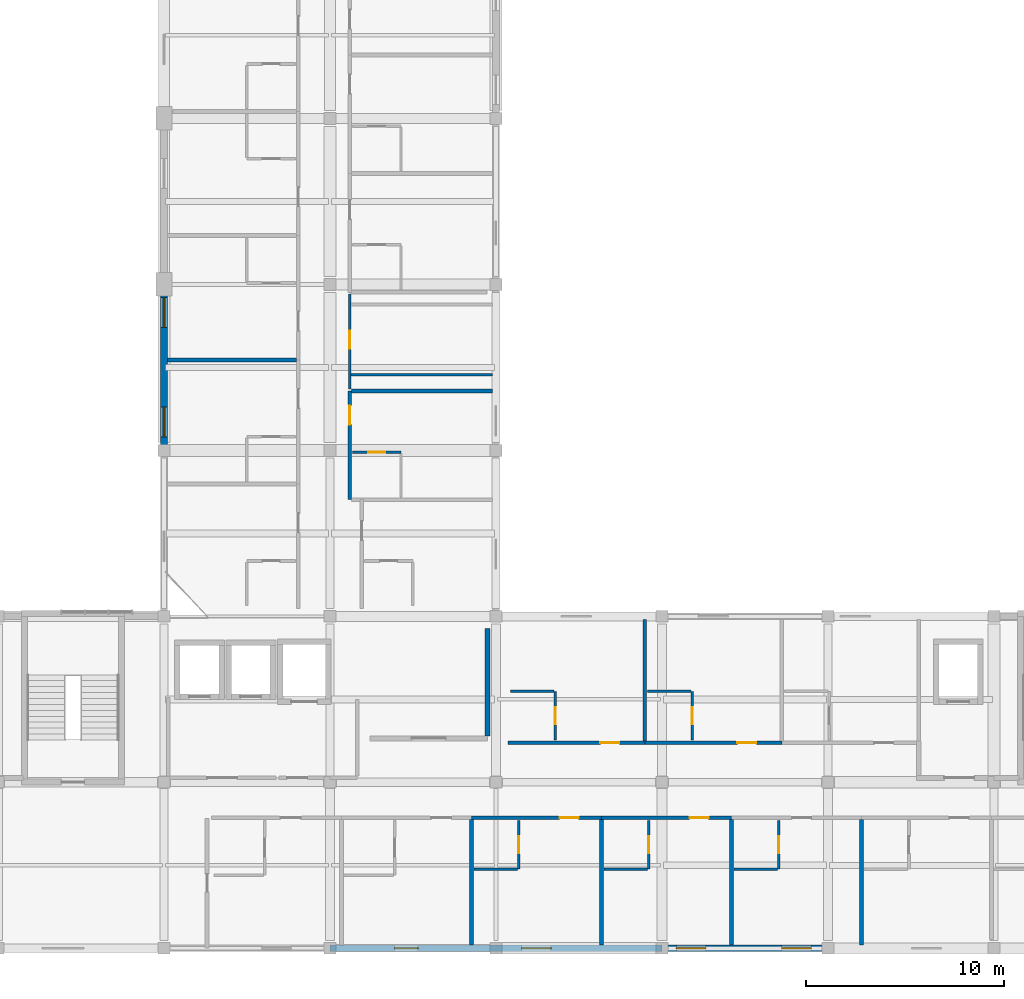
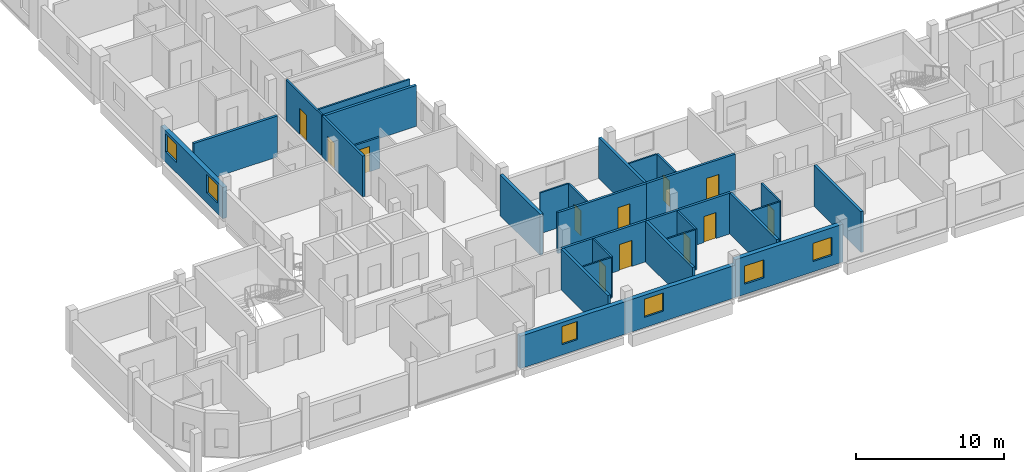
# One storey, part 13 of 25: 29 walls, 12 doors, 6 windows, 18 openings.
"""IFC4 building model written with IfcOpenShell, lengths in metres."""

from ifc_helpers import new_model, si_unit, derived_unit, direction, frame, frame_2d, origin, place, context, subcontext, project, spatial, rectangle, extrude, material, layer, layer_set, type_object, element, fill, save


model = new_model("IFC4")

# Units and contexts
model_context = context("Model", 3, precision=1e-05, world=origin(), true_north=direction((0.0, 1.0)))
body_context = subcontext(model_context, "Body", "Model", "MODEL_VIEW")
ifc_project = project(units=[si_unit("LENGTHUNIT", "METRE"), si_unit("AREAUNIT", "SQUARE_METRE"), si_unit("VOLUMEUNIT", "CUBIC_METRE"), si_unit("PLANEANGLEUNIT", "RADIAN"), si_unit("MASSUNIT", "GRAM", prefix="KILO"), derived_unit("THERMALTRANSMITTANCEUNIT", [(si_unit("POWERUNIT", "WATT"), 1), (si_unit("LENGTHUNIT", "METRE"), -2), (si_unit("THERMODYNAMICTEMPERATUREUNIT", "KELVIN"), -1)])], contexts=[model_context])

# Site, building, storey
site_placement = place(None, origin())
site = spatial("IfcSite", under=ifc_project, at=site_placement, CompositionType="ELEMENT")
building_placement = place(site_placement, origin())
building = spatial("IfcBuilding", under=site, at=building_placement, Name="Barrovel Congress Hotel", CompositionType="ELEMENT")
storey_placement = place(building_placement, frame((0.0, 0.0, 25.5)))
storey = spatial("IfcBuildingStorey", under=building, at=storey_placement, Name="L06", CompositionType="ELEMENT", Elevation=25.5)

# Wall, openings, windows
ifc_material_1 = material(Name="Fired Clay Brick Masonry", Category="masonry")
ifc_layer_1 = layer(ifc_material_1, 0.340087890625)
ifc_layer_set_1 = layer_set([ifc_layer_1], Name="Fired Clay Brick Masonry")
wall_type_1 = type_object("IfcWallType", Name="EW-BRK340", PredefinedType="STANDARD", material=ifc_layer_set_1)
wall_1_placement = place(storey_placement, frame((42.0, 4.199951171875, 0.0), z_axis=(0.0, 0.0, 1.0), x_axis=(1.0, 0.0, 0.0)))
wall_1 = element("IfcWall", 1, at=wall_1_placement, inside=storey, type_object=wall_type_1, Name="EW:L06:HS-S:P04", PredefinedType="STANDARD", context=body_context, shape_type="SweptSolid", body=[
    extrude(rectangle(XDim=16.800048828125, YDim=0.340087890625, at=frame_2d((8.39990234375, 0.0))), origin(), (0.0, 0.0, 1.0), 2.679931640625),
])
opening_1_placement = place(wall_1_placement, frame((3.27001953125, 0.0, 0.85009765625)))
opening_1 = element("IfcOpeningElement", 2, at=opening_1_placement, cuts=wall_1, Name="Opening WN-06", PredefinedType="OPENING", context=body_context, shape_type="SweptSolid", body=[
    extrude(rectangle(XDim=1.199951171875, YDim=1.5, at=frame_2d((0.60009765625, 0.75))), frame((0.0, 0.18017578125, 0.0), z_axis=(0.0, -1.0, 0.0), x_axis=(1.0, 0.0, 0.0)), (0.0, 0.0, 1.0), 0.360107421875),
])
opening_2_placement = place(wall_1_placement, frame((9.699951171875, 0.0, 0.85009765625)))
opening_2 = element("IfcOpeningElement", 3, at=opening_2_placement, cuts=wall_1, Name="Opening WN-07", PredefinedType="OPENING", context=body_context, shape_type="SweptSolid", body=[
    extrude(rectangle(XDim=1.5, YDim=1.5, at=frame_2d((0.75, 0.75))), frame((0.0, 0.18017578125, 0.0), z_axis=(0.0, -1.0, 0.0), x_axis=(1.0, 0.0, 0.0)), (0.0, 0.0, 1.0), 0.360107421875),
])
ifc_material_2 = material(Name="Double Low-E Insulated Glazing", Category="glass")
window_type_1 = type_object("IfcWindowType", Name="WIN-WN-06", PartitioningType="SINGLE_PANEL", PredefinedType="WINDOW", material=ifc_material_2)
window_1_placement = place(opening_1_placement, origin())
window_1 = element("IfcWindow", 4, at=window_1_placement, inside=storey, type_object=window_type_1, Name="WIN:L06:U03", OverallHeight=1.5, OverallWidth=1.199951171875, PartitioningType="SINGLE_PANEL", PredefinedType="WINDOW", context=body_context, shape_type="SweptSolid", body=[
    extrude(rectangle(XDim=1.199951171875, YDim=1.5, at=frame_2d((0.60009765625, 0.75))), frame((0.0, 0.030029296875, 0.0), z_axis=(0.0, -1.0, 0.0), x_axis=(1.0, 0.0, 0.0)), (0.0, 0.0, 1.0), 0.06005859375),
])
fill(opening_1, window_1)
window_type_2 = type_object("IfcWindowType", Name="WIN-WN-07", PartitioningType="SINGLE_PANEL", PredefinedType="WINDOW", material=ifc_material_2)
window_2_placement = place(opening_2_placement, origin())
window_2 = element("IfcWindow", 5, at=window_2_placement, inside=storey, type_object=window_type_2, Name="WIN:L06:U04", OverallHeight=1.5, OverallWidth=1.5, PartitioningType="SINGLE_PANEL", PredefinedType="WINDOW", context=body_context, shape_type="SweptSolid", body=[
    extrude(rectangle(XDim=1.5, YDim=1.5, at=frame_2d((0.75, 0.75))), frame((0.0, 0.030029296875, 0.0), z_axis=(0.0, -1.0, 0.0), x_axis=(1.0, 0.0, 0.0)), (0.0, 0.0, 1.0), 0.06005859375),
])
fill(opening_2, window_2)

wall_2_placement = place(storey_placement, frame((58.800048828125, 4.199951171875, 0.0), z_axis=(0.0, 0.0, 1.0), x_axis=(1.0, 0.0, 0.0)))
wall_2 = element("IfcWall", 6, at=wall_2_placement, inside=storey, type_object=wall_type_1, Name="EW:L06:HS-S:P05", PredefinedType="STANDARD", context=body_context, shape_type="SweptSolid", body=[
    extrude(rectangle(XDim=8.39990234375, YDim=0.340087890625, at=frame_2d((4.199951171875, 0.0))), origin(), (0.0, 0.0, 1.0), 3.1259765625),
])
opening_3_placement = place(wall_2_placement, frame((0.72998046875, 0.0, 0.85009765625)))
opening_3 = element("IfcOpeningElement", 7, at=opening_3_placement, cuts=wall_2, Name="Opening WN-07", PredefinedType="OPENING", context=body_context, shape_type="SweptSolid", body=[
    extrude(rectangle(XDim=1.5, YDim=1.5, at=frame_2d((0.75, 0.75))), frame((0.0, 0.18017578125, 0.0), z_axis=(0.0, -1.0, 0.0), x_axis=(1.0, 0.0, 0.0)), (0.0, 0.0, 1.0), 0.360107421875),
])
opening_4_placement = place(wall_2_placement, frame((6.06005859375, 0.0, 0.85009765625)))
opening_4 = element("IfcOpeningElement", 8, at=opening_4_placement, cuts=wall_2, Name="Opening WN-07", PredefinedType="OPENING", context=body_context, shape_type="SweptSolid", body=[
    extrude(rectangle(XDim=1.5, YDim=1.5, at=frame_2d((0.75, 0.75))), frame((0.0, 0.18017578125, 0.0), z_axis=(0.0, -1.0, 0.0), x_axis=(1.0, 0.0, 0.0)), (0.0, 0.0, 1.0), 0.360107421875),
])
window_3_placement = place(opening_3_placement, origin())
window_3 = element("IfcWindow", 9, at=window_3_placement, inside=storey, type_object=window_type_2, Name="WIN:L06:U05", OverallHeight=1.5, OverallWidth=1.5, PartitioningType="SINGLE_PANEL", PredefinedType="WINDOW", context=body_context, shape_type="SweptSolid", body=[
    extrude(rectangle(XDim=1.5, YDim=1.5, at=frame_2d((0.75, 0.75))), frame((0.0, 0.030029296875, 0.0), z_axis=(0.0, -1.0, 0.0), x_axis=(1.0, 0.0, 0.0)), (0.0, 0.0, 1.0), 0.06005859375),
])
fill(opening_3, window_3)
window_4_placement = place(opening_4_placement, origin())
window_4 = element("IfcWindow", 10, at=window_4_placement, inside=storey, type_object=window_type_2, Name="WIN:L06:U06", OverallHeight=1.5, OverallWidth=1.5, PartitioningType="SINGLE_PANEL", PredefinedType="WINDOW", context=body_context, shape_type="SweptSolid", body=[
    extrude(rectangle(XDim=1.5, YDim=1.5, at=frame_2d((0.75, 0.75))), frame((0.0, 0.030029296875, 0.0), z_axis=(0.0, -1.0, 0.0), x_axis=(1.0, 0.0, 0.0)), (0.0, 0.0, 1.0), 0.06005859375),
])
fill(opening_4, window_4)

wall_3_placement = place(storey_placement, frame((33.60009765625, 37.800048828125, 0.0), z_axis=(0.0, 0.0, 1.0), x_axis=(0.0, -1.0, 0.0)))
wall_3 = element("IfcWall", 11, at=wall_3_placement, inside=storey, type_object=wall_type_1, Name="EW:L06:HW-W:P05", PredefinedType="STANDARD", context=body_context, shape_type="SweptSolid", body=[
    extrude(rectangle(XDim=8.400146484375, YDim=0.340087890625, at=frame_2d((4.2001953125, 0.0))), origin(), (0.0, 0.0, 1.0), 2.580078125),
])
opening_5_placement = place(wall_3_placement, frame((6.216552734375, 0.0, 0.85009765625)))
opening_5 = element("IfcOpeningElement", 12, at=opening_5_placement, cuts=wall_3, Name="Opening WN-07", PredefinedType="OPENING", context=body_context, shape_type="SweptSolid", body=[
    extrude(rectangle(XDim=1.5, YDim=1.5, at=frame_2d((0.75, 0.75))), frame((0.0, 0.18017578125, 0.0), z_axis=(0.0, -1.0, 0.0), x_axis=(1.0, 0.0, 0.0)), (0.0, 0.0, 1.0), 0.360107421875),
])
opening_6_placement = place(wall_3_placement, frame((0.677734375, 0.0, 0.85009765625)))
opening_6 = element("IfcOpeningElement", 13, at=opening_6_placement, cuts=wall_3, Name="Opening WN-07", PredefinedType="OPENING", context=body_context, shape_type="SweptSolid", body=[
    extrude(rectangle(XDim=1.5, YDim=1.5, at=frame_2d((0.75, 0.75))), frame((0.0, 0.18017578125, 0.0), z_axis=(0.0, -1.0, 0.0), x_axis=(1.0, 0.0, 0.0)), (0.0, 0.0, 1.0), 0.360107421875),
])
window_5_placement = place(opening_5_placement, origin())
window_5 = element("IfcWindow", 14, at=window_5_placement, inside=storey, type_object=window_type_2, Name="WIN:L06:U29", OverallHeight=1.5, OverallWidth=1.5, PartitioningType="SINGLE_PANEL", PredefinedType="WINDOW", context=body_context, shape_type="SweptSolid", body=[
    extrude(rectangle(XDim=1.5, YDim=1.5, at=frame_2d((0.75, 0.75))), frame((0.0, 0.030029296875, 0.0), z_axis=(0.0, -1.0, 0.0), x_axis=(1.0, 0.0, 0.0)), (0.0, 0.0, 1.0), 0.06005859375),
])
fill(opening_5, window_5)
window_6_placement = place(opening_6_placement, origin())
window_6 = element("IfcWindow", 15, at=window_6_placement, inside=storey, type_object=window_type_2, Name="WIN:L06:U30", OverallHeight=1.5, OverallWidth=1.5, PartitioningType="SINGLE_PANEL", PredefinedType="WINDOW", context=body_context, shape_type="SweptSolid", body=[
    extrude(rectangle(XDim=1.5, YDim=1.5, at=frame_2d((0.75, 0.75))), frame((0.0, 0.030029296875, 0.0), z_axis=(0.0, -1.0, 0.0), x_axis=(1.0, 0.0, 0.0)), (0.0, 0.0, 1.0), 0.06005859375),
])
fill(opening_6, window_6)

# Wall, opening, door
ifc_material_3 = material(Name="Gypsum Acoustic Stud", Category="gypsum")
ifc_layer_2 = layer(ifc_material_3, 0.179931640625)
ifc_layer_set_2 = layer_set([ifc_layer_2], Name="Gypsum Acoustic Stud")
wall_type_2 = type_object("IfcWallType", Name="PW-ACU-180", PredefinedType="PARTITIONING", material=ifc_layer_set_2)
wall_4_placement = place(storey_placement, frame((49.159912109375, 10.800048828125, 0.0), z_axis=(0.0, 0.0, 1.0), x_axis=(1.0, 0.0, 0.0)))
wall_4 = element("IfcWall", 16, at=wall_4_placement, inside=storey, type_object=wall_type_2, Name="PW:L06:U04:COR", PredefinedType="PARTITIONING", context=body_context, shape_type="SweptSolid", body=[
    extrude(rectangle(XDim=6.580078125, YDim=0.179931640625, at=frame_2d((3.2900390625, 0.0))), origin(), (0.0, 0.0, 1.0), 3.375),
])
opening_7_placement = place(wall_4_placement, frame((4.466552734375, 0.0, 0.0)))
opening_7 = element("IfcOpeningElement", 17, at=opening_7_placement, cuts=wall_4, Name="Opening ID-HTL", PredefinedType="OPENING", context=body_context, shape_type="SweptSolid", body=[
    extrude(rectangle(XDim=0.9599609375, YDim=2.14990234375, at=frame_2d((0.47998046875, 1.074951171875))), frame((0.0, 0.10009765625, 0.0), z_axis=(0.0, -1.0, 0.0), x_axis=(1.0, 0.0, 0.0)), (0.0, 0.0, 1.0), 0.199951171875),
])
ifc_material_4 = material(Name="Solid Oak Acoustic Timber Door", Category="wood")
door_type_1 = type_object("IfcDoorType", Name="IDR-ID-HTL", OperationType="NOTDEFINED", PredefinedType="DOOR", material=ifc_material_4)
door_1_placement = place(opening_7_placement, origin())
door_1 = element("IfcDoor", 18, at=door_1_placement, inside=storey, type_object=door_type_1, Name="DR:L06:U04:ENT", OperationType="SINGLE_SWING_RIGHT", OverallHeight=2.14990234375, OverallWidth=0.9599609375, PredefinedType="DOOR", context=body_context, shape_type="SweptSolid", body=[
    extrude(rectangle(XDim=0.9599609375, YDim=2.14990234375, at=frame_2d((0.47998046875, 1.074951171875))), frame((0.0, 0.02490234375, 0.0), z_axis=(0.0, -1.0, 0.0), x_axis=(1.0, 0.0, 0.0)), (0.0, 0.0, 1.0), 0.050048828125),
])
fill(opening_7, door_1)

wall_5_placement = place(storey_placement, frame((55.739990234375, 10.800048828125, 0.0), z_axis=(0.0, 0.0, 1.0), x_axis=(1.0, 0.0, 0.0)))
wall_5 = element("IfcWall", 19, at=wall_5_placement, inside=storey, type_object=wall_type_2, Name="PW:L06:U05:COR", PredefinedType="PARTITIONING", context=body_context, shape_type="SweptSolid", body=[
    extrude(rectangle(XDim=6.580078125, YDim=0.179931640625, at=frame_2d((3.2900390625, 0.0))), origin(), (0.0, 0.0, 1.0), 3.375),
])
opening_8_placement = place(wall_5_placement, frame((4.466552734375, 0.0, 0.0)))
opening_8 = element("IfcOpeningElement", 20, at=opening_8_placement, cuts=wall_5, Name="Opening ID-HTL", PredefinedType="OPENING", context=body_context, shape_type="SweptSolid", body=[
    extrude(rectangle(XDim=0.9599609375, YDim=2.14990234375, at=frame_2d((0.47998046875, 1.074951171875))), frame((0.0, 0.10009765625, 0.0), z_axis=(0.0, -1.0, 0.0), x_axis=(1.0, 0.0, 0.0)), (0.0, 0.0, 1.0), 0.199951171875),
])
door_2_placement = place(opening_8_placement, origin())
door_2 = element("IfcDoor", 21, at=door_2_placement, inside=storey, type_object=door_type_1, Name="DR:L06:U05:ENT", OperationType="SINGLE_SWING_RIGHT", OverallHeight=2.14990234375, OverallWidth=0.9599609375, PredefinedType="DOOR", context=body_context, shape_type="SweptSolid", body=[
    extrude(rectangle(XDim=0.9599609375, YDim=2.14990234375, at=frame_2d((0.47998046875, 1.074951171875))), frame((0.0, 0.02490234375, 0.0), z_axis=(0.0, -1.0, 0.0), x_axis=(1.0, 0.0, 0.0)), (0.0, 0.0, 1.0), 0.050048828125),
])
fill(opening_8, door_2)

wall_6_placement = place(storey_placement, frame((51.0, 14.60009765625, 0.0), z_axis=(0.0, 0.0, 1.0), x_axis=(1.0, 0.0, 0.0)))
wall_6 = element("IfcWall", 22, at=wall_6_placement, inside=storey, type_object=wall_type_2, Name="PW:L06:U18:COR", PredefinedType="PARTITIONING", context=body_context, shape_type="SweptSolid", body=[
    extrude(rectangle(XDim=6.933349609375, YDim=0.179931640625, at=frame_2d((3.466796875, 0.0))), origin(), (0.0, 0.0, 1.0), 3.375),
])
opening_9_placement = place(wall_6_placement, frame((4.685546875, 0.0, 0.0)))
opening_9 = element("IfcOpeningElement", 23, at=opening_9_placement, cuts=wall_6, Name="Opening ID-HTL", PredefinedType="OPENING", context=body_context, shape_type="SweptSolid", body=[
    extrude(rectangle(XDim=0.9599609375, YDim=2.14990234375, at=frame_2d((0.47998046875, 1.074951171875))), frame((0.0, 0.10009765625, 0.0), z_axis=(0.0, -1.0, 0.0), x_axis=(1.0, 0.0, 0.0)), (0.0, 0.0, 1.0), 0.199951171875),
])
door_3_placement = place(opening_9_placement, origin())
door_3 = element("IfcDoor", 24, at=door_3_placement, inside=storey, type_object=door_type_1, Name="DR:L06:U18:ENT", OperationType="SINGLE_SWING_RIGHT", OverallHeight=2.14990234375, OverallWidth=0.9599609375, PredefinedType="DOOR", context=body_context, shape_type="SweptSolid", body=[
    extrude(rectangle(XDim=0.9599609375, YDim=2.14990234375, at=frame_2d((0.47998046875, 1.074951171875))), frame((0.0, 0.02490234375, 0.0), z_axis=(0.0, -1.0, 0.0), x_axis=(1.0, 0.0, 0.0)), (0.0, 0.0, 1.0), 0.050048828125),
])
fill(opening_9, door_3)

wall_7_placement = place(storey_placement, frame((57.933349609375, 14.60009765625, 0.0), z_axis=(0.0, 0.0, 1.0), x_axis=(1.0, 0.0, 0.0)))
wall_7 = element("IfcWall", 25, at=wall_7_placement, inside=storey, type_object=wall_type_2, Name="PW:L06:U19:COR", PredefinedType="PARTITIONING", context=body_context, shape_type="SweptSolid", body=[
    extrude(rectangle(XDim=6.933349609375, YDim=0.179931640625, at=frame_2d((3.466796875, 0.0))), origin(), (0.0, 0.0, 1.0), 3.375),
])
opening_10_placement = place(wall_7_placement, frame((4.685791015625, 0.0, 0.0)))
opening_10 = element("IfcOpeningElement", 26, at=opening_10_placement, cuts=wall_7, Name="Opening ID-HTL", PredefinedType="OPENING", context=body_context, shape_type="SweptSolid", body=[
    extrude(rectangle(XDim=0.9599609375, YDim=2.14990234375, at=frame_2d((0.47998046875, 1.074951171875))), frame((0.0, 0.10009765625, 0.0), z_axis=(0.0, -1.0, 0.0), x_axis=(1.0, 0.0, 0.0)), (0.0, 0.0, 1.0), 0.199951171875),
])
door_4_placement = place(opening_10_placement, origin())
door_4 = element("IfcDoor", 27, at=door_4_placement, inside=storey, type_object=door_type_1, Name="DR:L06:U19:ENT", OperationType="SINGLE_SWING_RIGHT", OverallHeight=2.14990234375, OverallWidth=0.9599609375, PredefinedType="DOOR", context=body_context, shape_type="SweptSolid", body=[
    extrude(rectangle(XDim=0.9599609375, YDim=2.14990234375, at=frame_2d((0.47998046875, 1.074951171875))), frame((0.0, 0.02490234375, 0.0), z_axis=(0.0, -1.0, 0.0), x_axis=(1.0, 0.0, 0.0)), (0.0, 0.0, 1.0), 0.050048828125),
])
fill(opening_10, door_4)

wall_8_placement = place(storey_placement, frame((43.0, 26.89990234375, 0.0), z_axis=(0.0, 0.0, 1.0), x_axis=(0.0, 1.0, 0.0)))
wall_8 = element("IfcWall", 28, at=wall_8_placement, inside=storey, type_object=wall_type_2, Name="PW:L06:U38:COR", PredefinedType="PARTITIONING", context=body_context, shape_type="SweptSolid", body=[
    extrude(rectangle(XDim=5.5, YDim=0.179931640625, at=frame_2d((2.75, 0.0))), origin(), (0.0, 0.0, 1.0), 3.375),
])
opening_11_placement = place(wall_8_placement, frame((3.804931640625, 0.0, 0.0)))
opening_11 = element("IfcOpeningElement", 29, at=opening_11_placement, cuts=wall_8, Name="Opening ID-HTL", PredefinedType="OPENING", context=body_context, shape_type="SweptSolid", body=[
    extrude(rectangle(XDim=0.9599609375, YDim=2.14990234375, at=frame_2d((0.47998046875, 1.074951171875))), frame((0.0, 0.10009765625, 0.0), z_axis=(0.0, -1.0, 0.0), x_axis=(1.0, 0.0, 0.0)), (0.0, 0.0, 1.0), 0.199951171875),
])
door_5_placement = place(opening_11_placement, origin())
door_5 = element("IfcDoor", 30, at=door_5_placement, inside=storey, type_object=door_type_1, Name="DR:L06:U38:ENT", OperationType="SINGLE_SWING_RIGHT", OverallHeight=2.14990234375, OverallWidth=0.9599609375, PredefinedType="DOOR", context=body_context, shape_type="SweptSolid", body=[
    extrude(rectangle(XDim=0.9599609375, YDim=2.14990234375, at=frame_2d((0.47998046875, 1.074951171875))), frame((0.0, 0.02490234375, 0.0), z_axis=(0.0, -1.0, 0.0), x_axis=(1.0, 0.0, 0.0)), (0.0, 0.0, 1.0), 0.050048828125),
])
fill(opening_11, door_5)

# Walls
ifc_layer_3 = layer(ifc_material_3, 0.1201171875)
ifc_layer_set_3 = layer_set([ifc_layer_3], Name="Gypsum Acoustic Stud")
wall_type_3 = type_object("IfcWallType", Name="PW-INT-120", PredefinedType="PARTITIONING", material=ifc_layer_set_3)
wall_9_placement = place(storey_placement, frame((49.300048828125, 8.199951171875, 0.0), z_axis=(0.0, 0.0, 1.0), x_axis=(1.0, 0.0, 0.0)))
element("IfcWall", 31, at=wall_9_placement, inside=storey, type_object=wall_type_3, Name="PW:L06:U04:B2", PredefinedType="PARTITIONING", context=body_context, shape_type="SweptSolid", body=[
    extrude(rectangle(XDim=2.18994140625, YDim=0.1201171875, at=frame_2d((1.094970703125, 0.0))), origin(), (0.0, 0.0, 1.0), 3.375),
])
wall_10_placement = place(storey_placement, frame((55.8798828125, 8.199951171875, 0.0), z_axis=(0.0, 0.0, 1.0), x_axis=(1.0, 0.0, 0.0)))
element("IfcWall", 32, at=wall_10_placement, inside=storey, type_object=wall_type_3, Name="PW:L06:U05:B2", PredefinedType="PARTITIONING", context=body_context, shape_type="SweptSolid", body=[
    extrude(rectangle(XDim=2.190185546875, YDim=0.1201171875, at=frame_2d((1.09521484375, 0.0))), origin(), (0.0, 0.0, 1.0), 3.375),
])
wall_11_placement = place(storey_placement, frame((62.4599609375, 8.199951171875, 0.0), z_axis=(0.0, 0.0, 1.0), x_axis=(1.0, 0.0, 0.0)))
element("IfcWall", 33, at=wall_11_placement, inside=storey, type_object=wall_type_3, Name="PW:L06:U06:B2", PredefinedType="PARTITIONING", context=body_context, shape_type="SweptSolid", body=[
    extrude(rectangle(XDim=2.18994140625, YDim=0.1201171875, at=frame_2d((1.094970703125, 0.0))), origin(), (0.0, 0.0, 1.0), 3.375),
])
wall_12_placement = place(storey_placement, frame((51.139892578125, 17.199951171875, 0.0), z_axis=(0.0, 0.0, 1.0), x_axis=(1.0, 0.0, 0.0)))
element("IfcWall", 34, at=wall_12_placement, inside=storey, type_object=wall_type_3, Name="PW:L06:U18:B2", PredefinedType="PARTITIONING", context=body_context, shape_type="SweptSolid", body=[
    extrude(rectangle(XDim=2.190185546875, YDim=0.1201171875, at=frame_2d((1.09521484375, 0.0))), origin(), (0.0, 0.0, 1.0), 3.375),
])
wall_13_placement = place(storey_placement, frame((58.0732421875, 17.199951171875, 0.0), z_axis=(0.0, 0.0, 1.0), x_axis=(1.0, 0.0, 0.0)))
element("IfcWall", 35, at=wall_13_placement, inside=storey, type_object=wall_type_3, Name="PW:L06:U19:B2", PredefinedType="PARTITIONING", context=body_context, shape_type="SweptSolid", body=[
    extrude(rectangle(XDim=2.18994140625, YDim=0.1201171875, at=frame_2d((1.094970703125, 0.0))), origin(), (0.0, 0.0, 1.0), 3.375),
])
ifc_layer_4 = layer(ifc_material_1, 0.199951171875)
ifc_layer_set_4 = layer_set([ifc_layer_4], Name="Fired Clay Brick Masonry")
wall_type_4 = type_object("IfcWallType", Name="PW-MAS-200", PredefinedType="PARTITIONING", material=ifc_layer_set_4)
for number, where, z_axis, x_axis, name in (
    (36, (49.159912109375, 4.3701171875, 0.0), (0.0, 0.0, 1.0), (0.0, 1.0, 0.0), "PW:L06:U03:DEM"),
    (37, (55.739990234375, 4.3701171875, 0.0), (0.0, 0.0, 1.0), (0.0, 1.0, 0.0), "PW:L06:U04:DEM"),
    (38, (62.320068359375, 4.3701171875, 0.0), (0.0, 0.0, 1.0), (0.0, 1.0, 0.0), "PW:L06:U05:DEM"),
    (39, (68.89990234375, 4.3701171875, 0.0), (0.0, 0.0, 1.0), (0.0, 1.0, 0.0), "PW:L06:U06:DEM"),
):
    element("IfcWall", number, at=place(storey_placement, frame(where, z_axis=z_axis, x_axis=x_axis)), inside=storey, type_object=wall_type_4, Name=name, PredefinedType="PARTITIONING", context=body_context, shape_type="SweptSolid", body=[
        extrude(rectangle(XDim=6.33984375, YDim=0.199951171875, at=frame_2d((3.169921875, 0.0))), origin(), (0.0, 0.0, 1.0), 3.375),
    ])
wall_14_placement = place(storey_placement, frame((57.933349609375, 14.68994140625, 0.0), z_axis=(0.0, 0.0, 1.0), x_axis=(0.0, 1.0, 0.0)))
element("IfcWall", 40, at=wall_14_placement, inside=storey, type_object=wall_type_4, Name="PW:L06:U18:DEM", PredefinedType="PARTITIONING", context=body_context, shape_type="SweptSolid", body=[
    extrude(rectangle(XDim=6.14013671875, YDim=0.199951171875, at=frame_2d((3.070068359375, 0.0))), origin(), (0.0, 0.0, 1.0), 3.375),
])
wall_15_placement = place(storey_placement, frame((33.77001953125, 33.977783203125, 0.0), z_axis=(0.0, 0.0, 1.0), x_axis=(1.0, 0.0, 0.0)))
element("IfcWall", 41, at=wall_15_placement, inside=storey, type_object=wall_type_4, Name="PW:L06:U29:DEM", PredefinedType="PARTITIONING", context=body_context, shape_type="SweptSolid", body=[
    extrude(rectangle(XDim=6.5400390625, YDim=0.199951171875, at=frame_2d((3.27001953125, 0.0))), origin(), (0.0, 0.0, 1.0), 3.375),
])
wall_16_placement = place(storey_placement, frame((43.090087890625, 32.39990234375, 0.0), z_axis=(0.0, 0.0, 1.0), x_axis=(1.0, 0.0, 0.0)))
element("IfcWall", 42, at=wall_16_placement, inside=storey, type_object=wall_type_4, Name="PW:L06:U38:DEM", PredefinedType="PARTITIONING", context=body_context, shape_type="SweptSolid", body=[
    extrude(rectangle(XDim=7.139892578125, YDim=0.199951171875, at=frame_2d((3.56982421875, 0.0))), origin(), (0.0, 0.0, 1.0), 3.375),
])
ifc_layer_5 = layer(ifc_material_1, 0.239990234375)
ifc_layer_set_5 = layer_set([ifc_layer_5], Name="Fired Clay Brick Masonry")
wall_type_5 = type_object("IfcWallType", Name="PW-MAS-240", PredefinedType="PARTITIONING", material=ifc_layer_set_5)
wall_17_placement = place(storey_placement, frame((49.97998046875, 14.93994140625, 0.0), z_axis=(0.0, 0.0, 1.0), x_axis=(0.0, 1.0, 0.0)))
element("IfcWall", 43, at=wall_17_placement, inside=storey, type_object=wall_type_5, Name="RW:SP:L06:LINEN:E", PredefinedType="PARTITIONING", context=body_context, shape_type="SweptSolid", body=[
    extrude(rectangle(XDim=5.43994140625, YDim=0.239990234375, at=frame_2d((2.719970703125, 0.0))), origin(), (0.0, 0.0, 1.0), 3.375),
])

# Wall, opening, door
ifc_material_5 = material(Name="Gypsum Moisture Board", Category="gypsum")
ifc_layer_6 = layer(ifc_material_5, 0.139892578125)
ifc_layer_set_6 = layer_set([ifc_layer_6], Name="Gypsum Moisture Board")
wall_type_6 = type_object("IfcWallType", Name="PW-WET-140", PredefinedType="PARTITIONING", material=ifc_layer_set_6)
wall_18_placement = place(storey_placement, frame((51.56005859375, 8.199951171875, 0.0), z_axis=(0.0, 0.0, 1.0), x_axis=(0.0, 1.0, 0.0)))
wall_18 = element("IfcWall", 44, at=wall_18_placement, inside=storey, type_object=wall_type_6, Name="PW:L06:U04:B1", PredefinedType="PARTITIONING", context=body_context, shape_type="SweptSolid", body=[
    extrude(rectangle(XDim=2.4599609375, YDim=0.139892578125, at=frame_2d((1.22998046875, 0.0))), origin(), (0.0, 0.0, 1.0), 3.375),
])
opening_12_placement = place(wall_18_placement, frame((0.800048828125, 0.0, 0.0)))
opening_12 = element("IfcOpeningElement", 45, at=opening_12_placement, cuts=wall_18, Name="Opening ID-ENS", PredefinedType="OPENING", context=body_context, shape_type="SweptSolid", body=[
    extrude(rectangle(XDim=0.860107421875, YDim=2.10009765625, at=frame_2d((0.43017578125, 1.050048828125))), frame((0.0, 0.080078125, 0.0), z_axis=(0.0, -1.0, 0.0), x_axis=(1.0, 0.0, 0.0)), (0.0, 0.0, 1.0), 0.159912109375),
])
ifc_material_6 = material(Name="Lacquered Timber Moisture Door", Category="wood")
door_type_2 = type_object("IfcDoorType", Name="IDR-ID-ENS", OperationType="NOTDEFINED", PredefinedType="DOOR", material=ifc_material_6)
door_6_placement = place(opening_12_placement, origin())
door_6 = element("IfcDoor", 46, at=door_6_placement, inside=storey, type_object=door_type_2, Name="DR:L06:U04:ENS", OperationType="SINGLE_SWING_LEFT", OverallHeight=2.10009765625, OverallWidth=0.860107421875, PredefinedType="DOOR", context=body_context, shape_type="SweptSolid", body=[
    extrude(rectangle(XDim=0.860107421875, YDim=2.10009765625, at=frame_2d((0.43017578125, 1.050048828125))), frame((0.0, 0.02490234375, 0.0), z_axis=(0.0, -1.0, 0.0), x_axis=(1.0, 0.0, 0.0)), (0.0, 0.0, 1.0), 0.050048828125),
])
fill(opening_12, door_6)

wall_19_placement = place(storey_placement, frame((58.139892578125, 8.199951171875, 0.0), z_axis=(0.0, 0.0, 1.0), x_axis=(0.0, 1.0, 0.0)))
wall_19 = element("IfcWall", 47, at=wall_19_placement, inside=storey, type_object=wall_type_6, Name="PW:L06:U05:B1", PredefinedType="PARTITIONING", context=body_context, shape_type="SweptSolid", body=[
    extrude(rectangle(XDim=2.4599609375, YDim=0.139892578125, at=frame_2d((1.22998046875, 0.0))), origin(), (0.0, 0.0, 1.0), 3.375),
])
opening_13_placement = place(wall_19_placement, frame((0.800048828125, 0.0, 0.0)))
opening_13 = element("IfcOpeningElement", 48, at=opening_13_placement, cuts=wall_19, Name="Opening ID-ENS", PredefinedType="OPENING", context=body_context, shape_type="SweptSolid", body=[
    extrude(rectangle(XDim=0.860107421875, YDim=2.10009765625, at=frame_2d((0.43017578125, 1.050048828125))), frame((0.0, 0.080078125, 0.0), z_axis=(0.0, -1.0, 0.0), x_axis=(1.0, 0.0, 0.0)), (0.0, 0.0, 1.0), 0.159912109375),
])
door_7_placement = place(opening_13_placement, origin())
door_7 = element("IfcDoor", 49, at=door_7_placement, inside=storey, type_object=door_type_2, Name="DR:L06:U05:ENS", OperationType="SINGLE_SWING_LEFT", OverallHeight=2.10009765625, OverallWidth=0.860107421875, PredefinedType="DOOR", context=body_context, shape_type="SweptSolid", body=[
    extrude(rectangle(XDim=0.860107421875, YDim=2.10009765625, at=frame_2d((0.43017578125, 1.050048828125))), frame((0.0, 0.02490234375, 0.0), z_axis=(0.0, -1.0, 0.0), x_axis=(1.0, 0.0, 0.0)), (0.0, 0.0, 1.0), 0.050048828125),
])
fill(opening_13, door_7)

wall_20_placement = place(storey_placement, frame((64.719970703125, 8.199951171875, 0.0), z_axis=(0.0, 0.0, 1.0), x_axis=(0.0, 1.0, 0.0)))
wall_20 = element("IfcWall", 50, at=wall_20_placement, inside=storey, type_object=wall_type_6, Name="PW:L06:U06:B1", PredefinedType="PARTITIONING", context=body_context, shape_type="SweptSolid", body=[
    extrude(rectangle(XDim=2.4599609375, YDim=0.139892578125, at=frame_2d((1.22998046875, 0.0))), origin(), (0.0, 0.0, 1.0), 3.375),
])
opening_14_placement = place(wall_20_placement, frame((0.800048828125, 0.0, 0.0)))
opening_14 = element("IfcOpeningElement", 51, at=opening_14_placement, cuts=wall_20, Name="Opening ID-ENS", PredefinedType="OPENING", context=body_context, shape_type="SweptSolid", body=[
    extrude(rectangle(XDim=0.860107421875, YDim=2.10009765625, at=frame_2d((0.43017578125, 1.050048828125))), frame((0.0, 0.080078125, 0.0), z_axis=(0.0, -1.0, 0.0), x_axis=(1.0, 0.0, 0.0)), (0.0, 0.0, 1.0), 0.159912109375),
])
door_8_placement = place(opening_14_placement, origin())
door_8 = element("IfcDoor", 52, at=door_8_placement, inside=storey, type_object=door_type_2, Name="DR:L06:U06:ENS", OperationType="SINGLE_SWING_LEFT", OverallHeight=2.10009765625, OverallWidth=0.860107421875, PredefinedType="DOOR", context=body_context, shape_type="SweptSolid", body=[
    extrude(rectangle(XDim=0.860107421875, YDim=2.10009765625, at=frame_2d((0.43017578125, 1.050048828125))), frame((0.0, 0.02490234375, 0.0), z_axis=(0.0, -1.0, 0.0), x_axis=(1.0, 0.0, 0.0)), (0.0, 0.0, 1.0), 0.050048828125),
])
fill(opening_14, door_8)

wall_21_placement = place(storey_placement, frame((53.39990234375, 14.739990234375, 0.0), z_axis=(0.0, 0.0, 1.0), x_axis=(0.0, 1.0, 0.0)))
wall_21 = element("IfcWall", 53, at=wall_21_placement, inside=storey, type_object=wall_type_6, Name="PW:L06:U18:B1", PredefinedType="PARTITIONING", context=body_context, shape_type="SweptSolid", body=[
    extrude(rectangle(XDim=2.4599609375, YDim=0.139892578125, at=frame_2d((1.22998046875, 0.0))), origin(), (0.0, 0.0, 1.0), 3.375),
])
opening_15_placement = place(wall_21_placement, frame((0.800048828125, 0.0, 0.0)))
opening_15 = element("IfcOpeningElement", 54, at=opening_15_placement, cuts=wall_21, Name="Opening ID-ENS", PredefinedType="OPENING", context=body_context, shape_type="SweptSolid", body=[
    extrude(rectangle(XDim=0.860107421875, YDim=2.10009765625, at=frame_2d((0.43017578125, 1.050048828125))), frame((0.0, 0.080078125, 0.0), z_axis=(0.0, -1.0, 0.0), x_axis=(1.0, 0.0, 0.0)), (0.0, 0.0, 1.0), 0.159912109375),
])
door_9_placement = place(opening_15_placement, origin())
door_9 = element("IfcDoor", 55, at=door_9_placement, inside=storey, type_object=door_type_2, Name="DR:L06:U18:ENS", OperationType="SINGLE_SWING_LEFT", OverallHeight=2.10009765625, OverallWidth=0.860107421875, PredefinedType="DOOR", context=body_context, shape_type="SweptSolid", body=[
    extrude(rectangle(XDim=0.860107421875, YDim=2.10009765625, at=frame_2d((0.43017578125, 1.050048828125))), frame((0.0, 0.02490234375, 0.0), z_axis=(0.0, -1.0, 0.0), x_axis=(1.0, 0.0, 0.0)), (0.0, 0.0, 1.0), 0.050048828125),
])
fill(opening_15, door_9)

wall_22_placement = place(storey_placement, frame((60.333251953125, 14.739990234375, 0.0), z_axis=(0.0, 0.0, 1.0), x_axis=(0.0, 1.0, 0.0)))
wall_22 = element("IfcWall", 56, at=wall_22_placement, inside=storey, type_object=wall_type_6, Name="PW:L06:U19:B1", PredefinedType="PARTITIONING", context=body_context, shape_type="SweptSolid", body=[
    extrude(rectangle(XDim=2.4599609375, YDim=0.139892578125, at=frame_2d((1.22998046875, 0.0))), origin(), (0.0, 0.0, 1.0), 3.375),
])
opening_16_placement = place(wall_22_placement, frame((0.800048828125, 0.0, 0.0)))
opening_16 = element("IfcOpeningElement", 57, at=opening_16_placement, cuts=wall_22, Name="Opening ID-ENS", PredefinedType="OPENING", context=body_context, shape_type="SweptSolid", body=[
    extrude(rectangle(XDim=0.860107421875, YDim=2.10009765625, at=frame_2d((0.43017578125, 1.050048828125))), frame((0.0, 0.080078125, 0.0), z_axis=(0.0, -1.0, 0.0), x_axis=(1.0, 0.0, 0.0)), (0.0, 0.0, 1.0), 0.159912109375),
])
door_10_placement = place(opening_16_placement, origin())
door_10 = element("IfcDoor", 58, at=door_10_placement, inside=storey, type_object=door_type_2, Name="DR:L06:U19:ENS", OperationType="SINGLE_SWING_LEFT", OverallHeight=2.10009765625, OverallWidth=0.860107421875, PredefinedType="DOOR", context=body_context, shape_type="SweptSolid", body=[
    extrude(rectangle(XDim=0.860107421875, YDim=2.10009765625, at=frame_2d((0.43017578125, 1.050048828125))), frame((0.0, 0.02490234375, 0.0), z_axis=(0.0, -1.0, 0.0), x_axis=(1.0, 0.0, 0.0)), (0.0, 0.0, 1.0), 0.050048828125),
])
fill(opening_16, door_10)

wall_23_placement = place(storey_placement, frame((43.139892578125, 29.300048828125, 0.0), z_axis=(0.0, 0.0, 1.0), x_axis=(1.0, 0.0, 0.0)))
wall_23 = element("IfcWall", 59, at=wall_23_placement, inside=storey, type_object=wall_type_6, Name="PW:L06:U38:B1", PredefinedType="PARTITIONING", context=body_context, shape_type="SweptSolid", body=[
    extrude(rectangle(XDim=2.460205078125, YDim=0.139892578125, at=frame_2d((1.22998046875, 0.0))), origin(), (0.0, 0.0, 1.0), 2.580078125),
])
opening_17_placement = place(wall_23_placement, frame((0.800048828125, 0.0, 0.0)))
opening_17 = element("IfcOpeningElement", 60, at=opening_17_placement, cuts=wall_23, Name="Opening ID-ENS", PredefinedType="OPENING", context=body_context, shape_type="SweptSolid", body=[
    extrude(rectangle(XDim=0.860107421875, YDim=2.10009765625, at=frame_2d((0.43017578125, 1.050048828125))), frame((0.0, 0.080078125, 0.0), z_axis=(0.0, -1.0, 0.0), x_axis=(1.0, 0.0, 0.0)), (0.0, 0.0, 1.0), 0.159912109375),
])
door_11_placement = place(opening_17_placement, origin())
door_11 = element("IfcDoor", 61, at=door_11_placement, inside=storey, type_object=door_type_2, Name="DR:L06:U38:ENS", OperationType="SINGLE_SWING_LEFT", OverallHeight=2.10009765625, OverallWidth=0.860107421875, PredefinedType="DOOR", context=body_context, shape_type="SweptSolid", body=[
    extrude(rectangle(XDim=0.860107421875, YDim=2.10009765625, at=frame_2d((0.43017578125, 1.050048828125))), frame((0.0, 0.02490234375, 0.0), z_axis=(0.0, -1.0, 0.0), x_axis=(1.0, 0.0, 0.0)), (0.0, 0.0, 1.0), 0.050048828125),
])
fill(opening_17, door_11)

wall_24_placement = place(storey_placement, frame((43.0, 32.5, 0.0), z_axis=(0.0, 0.0, 1.0), x_axis=(0.0, 1.0, 0.0)))
wall_24 = element("IfcWall", 62, at=wall_24_placement, inside=storey, type_object=wall_type_6, Name="RW:SP:L06:WC-A:W", PredefinedType="PARTITIONING", context=body_context, shape_type="SweptSolid", body=[
    extrude(rectangle(XDim=4.800048828125, YDim=0.139892578125, at=frame_2d((2.39990234375, 0.0))), origin(), (0.0, 0.0, 1.0), 3.375),
])
opening_18_placement = place(wall_24_placement, frame((2.050048828125, 0.0, 0.0)))
opening_18 = element("IfcOpeningElement", 63, at=opening_18_placement, cuts=wall_24, Name="Opening ID-WC1", PredefinedType="OPENING", context=body_context, shape_type="SweptSolid", body=[
    extrude(rectangle(XDim=0.89990234375, YDim=2.1201171875, at=frame_2d((0.449951171875, 1.06005859375))), frame((0.0, 0.080078125, 0.0), z_axis=(0.0, -1.0, 0.0), x_axis=(1.0, 0.0, 0.0)), (0.0, 0.0, 1.0), 0.159912109375),
])
door_type_3 = type_object("IfcDoorType", Name="IDR-ID-WC1", OperationType="NOTDEFINED", PredefinedType="DOOR", material=ifc_material_6)
door_12_placement = place(opening_18_placement, origin())
door_12 = element("IfcDoor", 64, at=door_12_placement, inside=storey, type_object=door_type_3, Name="RD:SP:L06:WC-A", OperationType="SINGLE_SWING_LEFT", OverallHeight=2.1201171875, OverallWidth=0.89990234375, PredefinedType="DOOR", context=body_context, shape_type="SweptSolid", body=[
    extrude(rectangle(XDim=0.89990234375, YDim=2.1201171875, at=frame_2d((0.449951171875, 1.06005859375))), frame((0.0, 0.02490234375, 0.0), z_axis=(0.0, -1.0, 0.0), x_axis=(1.0, 0.0, 0.0)), (0.0, 0.0, 1.0), 0.050048828125),
])
fill(opening_18, door_12)

# Wall
wall_25_placement = place(storey_placement, frame((43.070068359375, 33.219970703125, 0.0), z_axis=(0.0, 0.0, 1.0), x_axis=(1.0, 0.0, 0.0)))
element("IfcWall", 65, at=wall_25_placement, inside=storey, type_object=wall_type_6, Name="RW:SP:L06:WC-A:S", PredefinedType="PARTITIONING", context=body_context, shape_type="SweptSolid", body=[
    extrude(rectangle(XDim=7.159912109375, YDim=0.139892578125, at=frame_2d((3.580078125, 0.0))), origin(), (0.0, 0.0, 1.0), 3.375),
])

save(model, "model.ifc")
